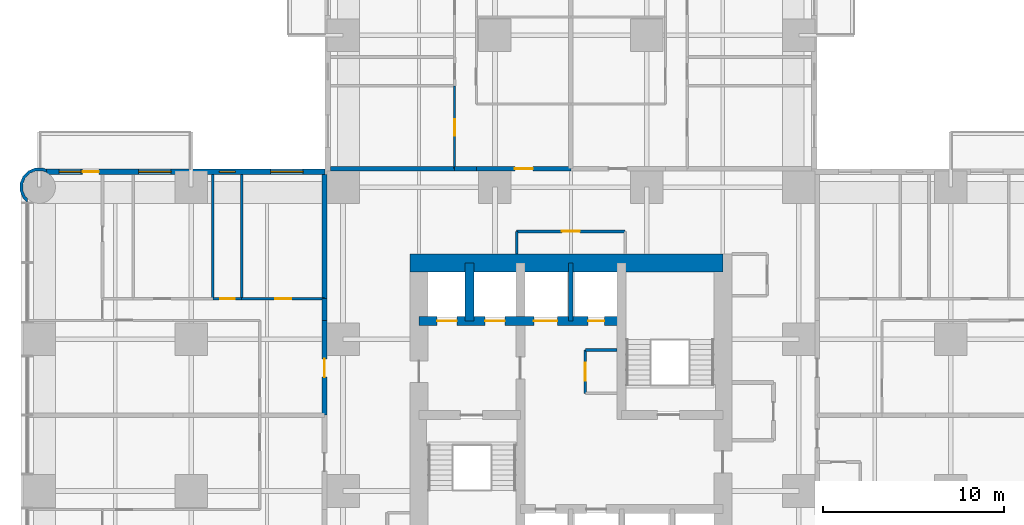
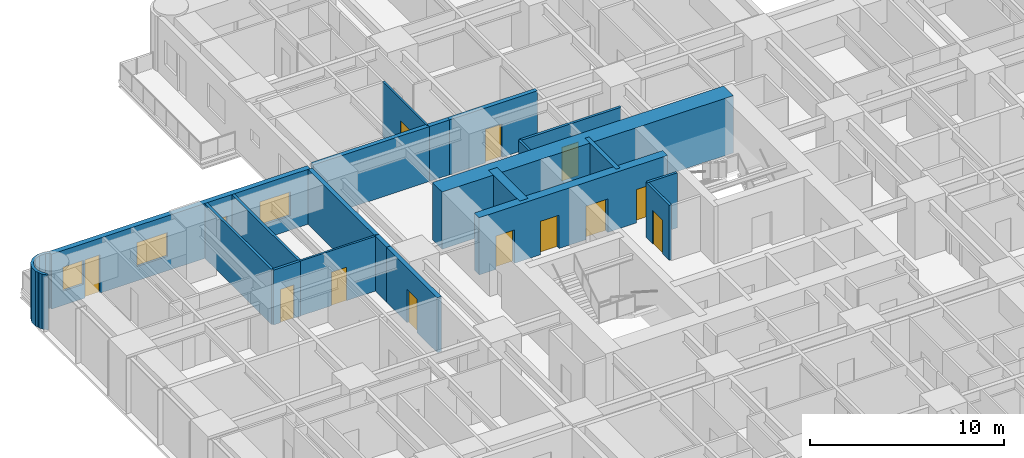
# One storey, part 12 of 17: 21 walls, 12 doors, 4 windows, 16 openings.
"""IFC4 building model written with IfcOpenShell, lengths in metres."""

from ifc_helpers import new_model, si_unit, direction, frame, frame_2d, origin, place, context, subcontext, project, spatial, polyline, rectangle, outline, extrude, material, layer, layer_set, type_object, element, fill, save


model = new_model("IFC4")

# Units and contexts
model_context = context("Model", 3, precision=1e-05, world=origin(), true_north=direction((0.0, 1.0)))
body_context = subcontext(model_context, "Body", "Model", "MODEL_VIEW")
ifc_project = project(units=[si_unit("LENGTHUNIT", "METRE"), si_unit("AREAUNIT", "SQUARE_METRE"), si_unit("VOLUMEUNIT", "CUBIC_METRE"), si_unit("PLANEANGLEUNIT", "RADIAN"), si_unit("MASSUNIT", "GRAM", prefix="KILO")], contexts=[model_context])

# Site, building, storey
site_placement = place(None, origin())
site = spatial("IfcSite", under=ifc_project, at=site_placement, CompositionType="ELEMENT")
building_placement = place(site_placement, origin())
building = spatial("IfcBuilding", under=site, at=building_placement, Name="Torre Alcanfor", CompositionType="ELEMENT")
storey_placement = place(building_placement, frame((0.0, 0.0, 59.699951171875)))
storey = spatial("IfcBuildingStorey", under=building, at=storey_placement, Name="L14", CompositionType="ELEMENT", Elevation=59.699951171875)

# Wall, opening, door
ifc_material_1 = material(Name="Concrete block masonry, hollow blocks NMX-C-404 9 MPa", Category="masonry")
ifc_layer_1 = layer(ifc_material_1, 0.25)
ifc_layer_set_1 = layer_set([ifc_layer_1], Name="Apartment entrance wall 250 EI 60")
wall_type_1 = type_object("IfcWallType", Name="Apartment entrance wall 250 EI 60", PredefinedType="PARTITIONING", material=ifc_layer_set_1)
wall_1_placement = place(storey_placement, frame((24.1708984375, 43.02490234375, 0.0), z_axis=(0.0, 0.0, 1.0), x_axis=(1.0, 0.0, 0.0)))
wall_1 = element("IfcWall", 1, at=wall_1_placement, inside=storey, type_object=wall_type_1, Name="Partition L14-CORR / L14-N1-ZAG", PredefinedType="PARTITIONING", context=body_context, shape_type="SweptSolid", body=[
    extrude(rectangle(XDim=5.22900390625, YDim=0.25, at=frame_2d((2.614501953125, 0.0))), origin(), (0.0, 0.0, 1.0), 3.449951171875),
])
opening_1_placement = place(wall_1_placement, frame((2.12890625, 0.0, 0.0)))
opening_1 = element("IfcOpeningElement", 2, at=opening_1_placement, cuts=wall_1, Name="Opening D-A1", PredefinedType="OPENING", context=body_context, shape_type="SweptSolid", body=[
    extrude(rectangle(XDim=1.0, YDim=2.10009765625, at=frame_2d((0.5, 1.050048828125))), frame((0.0, 0.135009765625, 0.0), z_axis=(0.0, -1.0, 0.0), x_axis=(1.0, 0.0, 0.0)), (0.0, 0.0, 1.0), 0.27001953125),
])
ifc_material_2 = material(Name="Galvanised steel sheet ASTM A653", Category="steel")
door_type_1 = type_object("IfcDoorType", Name="Apartment entrance door FD60 1000x2100", OperationType="SINGLE_SWING_LEFT", PredefinedType="DOOR", material=ifc_material_2)
door_1_placement = place(opening_1_placement, origin())
door_1 = element("IfcDoor", 3, at=door_1_placement, inside=storey, type_object=door_type_1, Name="Apartment entrance L14-N1", OperationType="SINGLE_SWING_RIGHT", OverallHeight=2.10009765625, OverallWidth=1.0, PredefinedType="DOOR", context=body_context, shape_type="SweptSolid", body=[
    extrude(rectangle(XDim=1.0, YDim=2.10009765625, at=frame_2d((0.5, 1.050048828125))), frame((0.0, 0.02490234375, 0.0), z_axis=(0.0, -1.0, 0.0), x_axis=(1.0, 0.0, 0.0)), (0.0, 0.0, 1.0), 0.050048828125),
])
fill(opening_1, door_1)

# Walls
wall_2_placement = place(storey_placement, frame((22.970947265625, 43.02490234375, 0.0), z_axis=(0.0, 0.0, 1.0), x_axis=(1.0, 0.0, 0.0)))
element("IfcWall", 4, at=wall_2_placement, inside=storey, type_object=wall_type_1, Name="Partition L14-CORR / L14-N1-HALL", PredefinedType="PARTITIONING", context=body_context, shape_type="SweptSolid", body=[
    extrude(rectangle(XDim=1.199951171875, YDim=0.25, at=frame_2d((0.60009765625, 0.0))), origin(), (0.0, 0.0, 1.0), 3.449951171875),
])
wall_3_placement = place(storey_placement, frame((16.10009765625, 43.02490234375, 0.0), z_axis=(0.0, 0.0, 1.0), x_axis=(1.0, 0.0, 0.0)))
element("IfcWall", 5, at=wall_3_placement, inside=storey, type_object=wall_type_1, Name="Partition L14-CORR / L14-N1-BED2", PredefinedType="PARTITIONING", context=body_context, shape_type="SweptSolid", body=[
    extrude(rectangle(XDim=6.870849609375, YDim=0.25, at=frame_2d((3.435546875, 0.0))), origin(), (0.0, 0.0, 1.0), 3.449951171875),
])

# Wall, opening, door
wall_4_placement = place(storey_placement, frame((15.77490234375, 29.39990234375, 0.0), z_axis=(0.0, 0.0, 1.0), x_axis=(0.0, 1.0, 0.0)))
wall_4 = element("IfcWall", 6, at=wall_4_placement, inside=storey, type_object=wall_type_1, Name="Partition L14-CORR / L14-W2-ZAG", PredefinedType="PARTITIONING", context=body_context, shape_type="SweptSolid", body=[
    extrude(rectangle(XDim=5.22900390625, YDim=0.25, at=frame_2d((2.614501953125, 0.0))), origin(), (0.0, 0.0, 1.0), 3.449951171875),
])
opening_2_placement = place(wall_4_placement, frame((2.10009765625, 0.0, 0.0)))
opening_2 = element("IfcOpeningElement", 7, at=opening_2_placement, cuts=wall_4, Name="Opening D-A1", PredefinedType="OPENING", context=body_context, shape_type="SweptSolid", body=[
    extrude(rectangle(XDim=1.0, YDim=2.10009765625, at=frame_2d((0.5, 1.050048828125))), frame((0.0, 0.135009765625, 0.0), z_axis=(0.0, -1.0, 0.0), x_axis=(1.0, 0.0, 0.0)), (0.0, 0.0, 1.0), 0.27001953125),
])
door_2_placement = place(opening_2_placement, origin())
door_2 = element("IfcDoor", 8, at=door_2_placement, inside=storey, type_object=door_type_1, Name="Apartment entrance L14-W2", OperationType="SINGLE_SWING_LEFT", OverallHeight=2.10009765625, OverallWidth=1.0, PredefinedType="DOOR", context=body_context, shape_type="SweptSolid", body=[
    extrude(rectangle(XDim=1.0, YDim=2.10009765625, at=frame_2d((0.5, 1.050048828125))), frame((0.0, 0.02490234375, 0.0), z_axis=(0.0, -1.0, 0.0), x_axis=(1.0, 0.0, 0.0)), (0.0, 0.0, 1.0), 0.050048828125),
])
fill(opening_2, door_2)

# Walls
wall_5_placement = place(storey_placement, frame((15.77490234375, 34.62890625, 0.0), z_axis=(0.0, 0.0, 1.0), x_axis=(0.0, 1.0, 0.0)))
element("IfcWall", 9, at=wall_5_placement, inside=storey, type_object=wall_type_1, Name="Partition L14-CORR / L14-W2-HALL", PredefinedType="PARTITIONING", context=body_context, shape_type="SweptSolid", body=[
    extrude(rectangle(XDim=1.2001953125, YDim=0.25, at=frame_2d((0.60009765625, 0.0))), origin(), (0.0, 0.0, 1.0), 3.449951171875),
])
wall_6_placement = place(storey_placement, frame((15.77490234375, 35.8291015625, 0.0), z_axis=(0.0, 0.0, 1.0), x_axis=(0.0, 1.0, 0.0)))
element("IfcWall", 10, at=wall_6_placement, inside=storey, type_object=wall_type_1, Name="Partition L14-CORR / L14-W2-BED3", PredefinedType="PARTITIONING", context=body_context, shape_type="SweptSolid", body=[
    extrude(rectangle(XDim=6.870849609375, YDim=0.25, at=frame_2d((3.435546875, 0.0))), origin(), (0.0, 0.0, 1.0), 3.449951171875),
])

# Wall, opening, door
ifc_material_3 = material(Name="Gypsum board on steel studs", Category="steel")
ifc_layer_2 = layer(ifc_material_3, 0.1201171875)
ifc_layer_set_2 = layer_set([ifc_layer_2], Name="Apartment partition 120")
wall_type_2 = type_object("IfcWallType", Name="Apartment partition 120", PredefinedType="PARTITIONING", material=ifc_layer_set_2)
wall_7_placement = place(storey_placement, frame((22.970947265625, 47.60009765625, 0.0), z_axis=(0.0, 0.0, 1.0), x_axis=(0.0, -1.0, 0.0)))
wall_7 = element("IfcWall", 11, at=wall_7_placement, inside=storey, type_object=wall_type_2, Name="Partition L14-N1-HALL / L14-N1-BED2", PredefinedType="PARTITIONING", context=body_context, shape_type="SweptSolid", body=[
    extrude(rectangle(XDim=4.5751953125, YDim=0.1201171875, at=frame_2d((2.28759765625, 0.0))), origin(), (0.0, 0.0, 1.0), 3.449951171875),
])
opening_3_placement = place(wall_7_placement, frame((1.85009765625, 0.0, 0.0)))
opening_3 = element("IfcOpeningElement", 12, at=opening_3_placement, cuts=wall_7, Name="Opening D-R1", PredefinedType="OPENING", context=body_context, shape_type="SweptSolid", body=[
    extrude(rectangle(XDim=0.89990234375, YDim=2.10009765625, at=frame_2d((0.449951171875, 1.050048828125))), frame((0.0, 0.070068359375, 0.0), z_axis=(0.0, -1.0, 0.0), x_axis=(1.0, 0.0, 0.0)), (0.0, 0.0, 1.0), 0.14013671875),
])
ifc_material_4 = material(Name="Timber", Category="wood")
door_type_2 = type_object("IfcDoorType", Name="Internal door 900x2100", OperationType="SINGLE_SWING_LEFT", PredefinedType="DOOR", material=ifc_material_4)
door_3_placement = place(opening_3_placement, frame((0.89990234375, 0.0, 0.0), z_axis=(0.0, 0.0, 1.0), x_axis=(-1.0, 0.0, 0.0)))
door_3 = element("IfcDoor", 13, at=door_3_placement, inside=storey, type_object=door_type_2, Name="Door L14-N1 bed2", OperationType="SINGLE_SWING_LEFT", OverallHeight=2.10009765625, OverallWidth=0.89990234375, PredefinedType="DOOR", context=body_context, shape_type="SweptSolid", body=[
    extrude(rectangle(XDim=0.89990234375, YDim=2.10009765625, at=frame_2d((0.449951171875, 1.050048828125))), frame((0.0, 0.025146484375, 0.0), z_axis=(0.0, -1.0, 0.0), x_axis=(1.0, 0.0, 0.0)), (0.0, 0.0, 1.0), 0.050048828125),
])
fill(opening_3, door_3)

wall_8_placement = place(storey_placement, frame((11.199951171875, 35.8291015625, 0.0), z_axis=(0.0, 0.0, 1.0), x_axis=(1.0, 0.0, 0.0)))
wall_8 = element("IfcWall", 14, at=wall_8_placement, inside=storey, type_object=wall_type_2, Name="Partition L14-W2-HALL / L14-W2-BED3", PredefinedType="PARTITIONING", context=body_context, shape_type="SweptSolid", body=[
    extrude(rectangle(XDim=4.574951171875, YDim=0.1201171875, at=frame_2d((2.28759765625, 0.0))), origin(), (0.0, 0.0, 1.0), 3.449951171875),
])
opening_4_placement = place(wall_8_placement, frame((1.85009765625, 0.0, 0.0)))
opening_4 = element("IfcOpeningElement", 15, at=opening_4_placement, cuts=wall_8, Name="Opening D-R1", PredefinedType="OPENING", context=body_context, shape_type="SweptSolid", body=[
    extrude(rectangle(XDim=0.89990234375, YDim=2.10009765625, at=frame_2d((0.449951171875, 1.050048828125))), frame((0.0, 0.070068359375, 0.0), z_axis=(0.0, -1.0, 0.0), x_axis=(1.0, 0.0, 0.0)), (0.0, 0.0, 1.0), 0.14013671875),
])
door_4_placement = place(opening_4_placement, origin())
door_4 = element("IfcDoor", 16, at=door_4_placement, inside=storey, type_object=door_type_2, Name="Door L14-W2 bed3", OperationType="SINGLE_SWING_RIGHT", OverallHeight=2.10009765625, OverallWidth=0.89990234375, PredefinedType="DOOR", context=body_context, shape_type="SweptSolid", body=[
    extrude(rectangle(XDim=0.89990234375, YDim=2.10009765625, at=frame_2d((0.449951171875, 1.050048828125))), frame((0.0, 0.02490234375, 0.0), z_axis=(0.0, -1.0, 0.0), x_axis=(1.0, 0.0, 0.0)), (0.0, 0.0, 1.0), 0.050048828125),
])
fill(opening_4, door_4)

# Wall, openings, doors
ifc_material_5 = material(Name="Concrete f'c 70 MPa", Category="concrete")
ifc_layer_3 = layer(ifc_material_5, 0.5)
ifc_layer_set_3 = layer_set([ifc_layer_3], Name="Core inner wall 500 f'c70")
wall_type_3 = type_object("IfcWallType", Name="Core inner wall 500 f'c70", PredefinedType="SHEAR", material=ifc_layer_set_3)
wall_9_placement = place(storey_placement, frame((21.0, 34.60009765625, 0.0), z_axis=(0.0, 0.0, 1.0), x_axis=(1.0, 0.0, 0.0)))
wall_9 = element("IfcWall", 17, at=wall_9_placement, inside=storey, type_object=wall_type_3, Name="Core wall Y346 L14", PredefinedType="SHEAR", context=body_context, shape_type="SweptSolid", body=[
    extrude(rectangle(XDim=11.199951171875, YDim=0.5, at=frame_2d((5.60009765625, 0.0))), origin(), (0.0, 0.0, 1.0), 3.60009765625),
])
opening_5_placement = place(wall_9_placement, frame((9.35009765625, 0.0, 0.0)))
opening_5 = element("IfcOpeningElement", 18, at=opening_5_placement, cuts=wall_9, Name="Opening D-Q1", PredefinedType="OPENING", context=body_context, shape_type="SweptSolid", body=[
    extrude(rectangle(XDim=0.89990234375, YDim=2.10009765625, at=frame_2d((0.449951171875, 1.050048828125))), frame((0.0, 0.260009765625, 0.0), z_axis=(0.0, -1.0, 0.0), x_axis=(1.0, 0.0, 0.0)), (0.0, 0.0, 1.0), 0.52001953125),
])
opening_6_placement = place(wall_9_placement, frame((1.0, 0.0, 0.0)))
opening_6 = element("IfcOpeningElement", 19, at=opening_6_placement, cuts=wall_9, Name="Opening LD2", PredefinedType="OPENING", context=body_context, shape_type="SweptSolid", body=[
    extrude(rectangle(XDim=1.10009765625, YDim=2.10009765625, at=frame_2d((0.550048828125, 1.050048828125))), frame((0.0, 0.260009765625, 0.0), z_axis=(0.0, -1.0, 0.0), x_axis=(1.0, 0.0, 0.0)), (0.0, 0.0, 1.0), 0.52001953125),
])
opening_7_placement = place(wall_9_placement, frame((3.64990234375, 0.0, 0.0)))
opening_7 = element("IfcOpeningElement", 20, at=opening_7_placement, cuts=wall_9, Name="Opening LD2", PredefinedType="OPENING", context=body_context, shape_type="SweptSolid", body=[
    extrude(rectangle(XDim=1.10009765625, YDim=2.10009765625, at=frame_2d((0.550048828125, 1.050048828125))), frame((0.0, 0.260009765625, 0.0), z_axis=(0.0, -1.0, 0.0), x_axis=(1.0, 0.0, 0.0)), (0.0, 0.0, 1.0), 0.52001953125),
])
opening_8_placement = place(wall_9_placement, frame((6.35009765625, 0.0, 0.0)))
opening_8 = element("IfcOpeningElement", 21, at=opening_8_placement, cuts=wall_9, Name="Opening LD3", PredefinedType="OPENING", context=body_context, shape_type="SweptSolid", body=[
    extrude(rectangle(XDim=1.300048828125, YDim=2.10009765625, at=frame_2d((0.64990234375, 1.050048828125))), frame((0.0, 0.260009765625, 0.0), z_axis=(0.0, -1.0, 0.0), x_axis=(1.0, 0.0, 0.0)), (0.0, 0.0, 1.0), 0.52001953125),
])
ifc_material_6 = material(Name="Galvanised steel sheet ASTM A653", Category="steel")
door_type_3 = type_object("IfcDoorType", Name="Firefighting lift landing door 1100x2100", OperationType="DOUBLE_DOOR_SLIDING", PredefinedType="DOOR", material=ifc_material_6)
door_5_placement = place(opening_6_placement, origin())
door_5 = element("IfcDoor", 22, at=door_5_placement, inside=storey, type_object=door_type_3, Name="Lift landing door FL1 L14", OperationType="DOUBLE_DOOR_SLIDING", OverallHeight=2.10009765625, OverallWidth=1.10009765625, PredefinedType="DOOR", context=body_context, shape_type="SweptSolid", body=[
    extrude(rectangle(XDim=1.10009765625, YDim=2.10009765625, at=frame_2d((0.550048828125, 1.050048828125))), frame((0.0, 0.02490234375, 0.0), z_axis=(0.0, -1.0, 0.0), x_axis=(1.0, 0.0, 0.0)), (0.0, 0.0, 1.0), 0.050048828125),
])
fill(opening_6, door_5)
door_6_placement = place(opening_7_placement, origin())
door_6 = element("IfcDoor", 23, at=door_6_placement, inside=storey, type_object=door_type_3, Name="Lift landing door FL2 L14", OperationType="DOUBLE_DOOR_SLIDING", OverallHeight=2.10009765625, OverallWidth=1.10009765625, PredefinedType="DOOR", context=body_context, shape_type="SweptSolid", body=[
    extrude(rectangle(XDim=1.10009765625, YDim=2.10009765625, at=frame_2d((0.550048828125, 1.050048828125))), frame((0.0, 0.02490234375, 0.0), z_axis=(0.0, -1.0, 0.0), x_axis=(1.0, 0.0, 0.0)), (0.0, 0.0, 1.0), 0.050048828125),
])
fill(opening_7, door_6)
ifc_material_7 = material(Name="Galvanised steel sheet ASTM A653", Category="steel")
door_type_4 = type_object("IfcDoorType", Name="Riser access door FD120 900x2100", OperationType="SINGLE_SWING_LEFT", PredefinedType="DOOR", material=ifc_material_7)
door_7_placement = place(opening_5_placement, origin())
door_7 = element("IfcDoor", 24, at=door_7_placement, inside=storey, type_object=door_type_4, Name="Riser door L14", OperationType="SINGLE_SWING_LEFT", OverallHeight=2.10009765625, OverallWidth=0.89990234375, PredefinedType="DOOR", context=body_context, shape_type="SweptSolid", body=[
    extrude(rectangle(XDim=0.89990234375, YDim=2.10009765625, at=frame_2d((0.449951171875, 1.050048828125))), frame((0.0, 0.02490234375, 0.0), z_axis=(0.0, -1.0, 0.0), x_axis=(1.0, 0.0, 0.0)), (0.0, 0.0, 1.0), 0.050048828125),
])
fill(opening_5, door_7)
ifc_material_8 = material(Name="Galvanised steel sheet ASTM A653", Category="steel")
door_type_5 = type_object("IfcDoorType", Name="Service lift landing door 1300x2100", OperationType="DOUBLE_DOOR_SLIDING", PredefinedType="DOOR", material=ifc_material_8)
door_8_placement = place(opening_8_placement, origin())
door_8 = element("IfcDoor", 25, at=door_8_placement, inside=storey, type_object=door_type_5, Name="Lift landing door SL1 L14", OperationType="DOUBLE_DOOR_SLIDING", OverallHeight=2.10009765625, OverallWidth=1.300048828125, PredefinedType="DOOR", context=body_context, shape_type="SweptSolid", body=[
    extrude(rectangle(XDim=1.300048828125, YDim=2.10009765625, at=frame_2d((0.64990234375, 1.050048828125))), frame((0.0, 0.02490234375, 0.0), z_axis=(0.0, -1.0, 0.0), x_axis=(1.0, 0.0, 0.0)), (0.0, 0.0, 1.0), 0.050048828125),
])
fill(opening_8, door_8)

# Walls
wall_10_placement = place(storey_placement, frame((23.800048828125, 34.60009765625, 0.0), z_axis=(0.0, 0.0, 1.0), x_axis=(0.0, 1.0, 0.0)))
element("IfcWall", 26, at=wall_10_placement, inside=storey, type_object=wall_type_3, Name="Core wall X238 L14", PredefinedType="SHEAR", context=body_context, shape_type="SweptSolid", body=[
    extrude(rectangle(XDim=3.199951171875, YDim=0.5, at=frame_2d((1.60009765625, 0.0))), origin(), (0.0, 0.0, 1.0), 3.60009765625),
])
ifc_material_9 = material(Name="Concrete f'c 70 MPa", Category="concrete")
ifc_layer_4 = layer(ifc_material_9, 0.25)
ifc_layer_set_4 = layer_set([ifc_layer_4], Name="Core shaft wall 250 f'c70")
wall_type_4 = type_object("IfcWallType", Name="Core shaft wall 250 f'c70", PredefinedType="SHEAR", material=ifc_layer_set_4)
wall_11_placement = place(storey_placement, frame((29.39990234375, 34.60009765625, 0.0), z_axis=(0.0, 0.0, 1.0), x_axis=(0.0, 1.0, 0.0)))
element("IfcWall", 27, at=wall_11_placement, inside=storey, type_object=wall_type_4, Name="Core wall X294N L14", PredefinedType="SHEAR", context=body_context, shape_type="SweptSolid", body=[
    extrude(rectangle(XDim=3.199951171875, YDim=0.25, at=frame_2d((1.60009765625, 0.0))), origin(), (0.0, 0.0, 1.0), 3.60009765625),
])
ifc_material_10 = material(Name="Concrete f'c 70 MPa", Category="concrete")
ifc_layer_5 = layer(ifc_material_10, 1.0)
ifc_layer_set_5 = layer_set([ifc_layer_5], Name="Core wall 1000 f'c70")
wall_type_5 = type_object("IfcWallType", Name="Core wall 1000 f'c70", PredefinedType="SHEAR", material=ifc_layer_set_5)
wall_12_placement = place(storey_placement, frame((37.800048828125, 37.800048828125, 0.0), z_axis=(0.0, 0.0, 1.0), x_axis=(-1.0, 0.0, 0.0)))
element("IfcWall", 28, at=wall_12_placement, inside=storey, type_object=wall_type_5, Name="Core wall OUT-N L14", PredefinedType="SHEAR", context=body_context, shape_type="SweptSolid", body=[
    extrude(rectangle(XDim=17.300048828125, YDim=1.0, at=frame_2d((8.64990234375, 0.0))), origin(), (0.0, 0.0, 1.0), 3.60009765625),
])

# Wall, openings, door, windows
ifc_material_11 = material(Name="Limestone cladding", Category="masonry")
ifc_layer_6 = layer(ifc_material_11, 0.0400390625, Name="Facing")
ifc_material_12 = material(Name="Ventilated air cavity")
ifc_layer_7 = layer(ifc_material_12, 0.02001953125, ventilated=True, Name="Ventilated joint")
ifc_material_13 = material(Name="Mineral wool insulation", Category="insulation")
ifc_layer_8 = layer(ifc_material_13, 0.10009765625, Name="Insulation")
ifc_material_14 = material(Name="Concrete f'c 35 MPa", Category="concrete")
ifc_layer_9 = layer(ifc_material_14, 0.139892578125, Name="Backing")
ifc_layer_set_6 = layer_set([ifc_layer_6, ifc_layer_7, ifc_layer_8, ifc_layer_9], Name="External wall stone-clad 300")
wall_type_6 = type_object("IfcWallType", Name="External wall stone-clad 300", PredefinedType="SOLIDWALL", material=ifc_layer_set_6)
wall_13_placement = place(storey_placement, frame((15.800048828125, 42.85009765625, 0.0), z_axis=(0.0, 0.0, 1.0), x_axis=(-1.0, 0.0, 0.0)))
wall_13 = element("IfcWall", 29, at=wall_13_placement, inside=storey, type_object=wall_type_6, Name="External wall L14 1", PredefinedType="SOLIDWALL", context=body_context, shape_type="SweptSolid", body=[
    extrude(rectangle(XDim=15.400146484375, YDim=0.300048828125, at=frame_2d((7.7001953125, 0.0))), origin(), (0.0, 0.0, 1.0), 3.449951171875),
])
opening_9_placement = place(wall_13_placement, frame((1.199951171875, 0.0, 0.89990234375)))
opening_9 = element("IfcOpeningElement", 30, at=opening_9_placement, cuts=wall_13, Name="Opening W2", PredefinedType="OPENING", context=body_context, shape_type="SweptSolid", body=[
    extrude(rectangle(XDim=1.800048828125, YDim=1.5, at=frame_2d((0.89990234375, 0.75))), frame((0.0, 0.159912109375, 0.0), z_axis=(0.0, -1.0, 0.0), x_axis=(1.0, 0.0, 0.0)), (0.0, 0.0, 1.0), 0.320068359375),
])
opening_10_placement = place(wall_13_placement, frame((4.949951171875, 0.0, 1.5)))
opening_10 = element("IfcOpeningElement", 31, at=opening_10_placement, cuts=wall_13, Name="Opening W3", PredefinedType="OPENING", context=body_context, shape_type="SweptSolid", body=[
    extrude(rectangle(XDim=0.89990234375, YDim=0.699951171875, at=frame_2d((0.449951171875, 0.35009765625))), frame((0.0, 0.159912109375, 0.0), z_axis=(0.0, -1.0, 0.0), x_axis=(1.0, 0.0, 0.0)), (0.0, 0.0, 1.0), 0.320068359375),
])
opening_11_placement = place(wall_13_placement, frame((8.5, 0.0, 0.89990234375)))
opening_11 = element("IfcOpeningElement", 32, at=opening_11_placement, cuts=wall_13, Name="Opening W2", PredefinedType="OPENING", context=body_context, shape_type="SweptSolid", body=[
    extrude(rectangle(XDim=1.800048828125, YDim=1.5, at=frame_2d((0.89990234375, 0.75))), frame((0.0, 0.159912109375, 0.0), z_axis=(0.0, -1.0, 0.0), x_axis=(1.0, 0.0, 0.0)), (0.0, 0.0, 1.0), 0.320068359375),
])
opening_12_placement = place(wall_13_placement, frame((12.5, 0.0, 0.0)))
opening_12 = element("IfcOpeningElement", 33, at=opening_12_placement, cuts=wall_13, Name="Opening D-B1", PredefinedType="OPENING", context=body_context, shape_type="SweptSolid", body=[
    extrude(rectangle(XDim=0.89990234375, YDim=2.39990234375, at=frame_2d((0.449951171875, 1.199951171875))), frame((0.0, 0.159912109375, 0.0), z_axis=(0.0, -1.0, 0.0), x_axis=(1.0, 0.0, 0.0)), (0.0, 0.0, 1.0), 0.320068359375),
])
opening_13_placement = place(wall_13_placement, frame((13.5, 0.0, 0.89990234375)))
opening_13 = element("IfcOpeningElement", 34, at=opening_13_placement, cuts=wall_13, Name="Opening W4", PredefinedType="OPENING", context=body_context, shape_type="SweptSolid", body=[
    extrude(rectangle(XDim=1.199951171875, YDim=1.5, at=frame_2d((0.60009765625, 0.75))), frame((0.0, 0.159912109375, 0.0), z_axis=(0.0, -1.0, 0.0), x_axis=(1.0, 0.0, 0.0)), (0.0, 0.0, 1.0), 0.320068359375),
])
ifc_material_15 = material(Name="Aluminium and glass", Category="aluminium")
door_type_6 = type_object("IfcDoorType", Name="Balcony door glazed 900x2400", OperationType="SINGLE_SWING_LEFT", PredefinedType="DOOR", material=ifc_material_15)
door_9_placement = place(opening_12_placement, origin())
door_9 = element("IfcDoor", 35, at=door_9_placement, inside=storey, type_object=door_type_6, Name="Balcony door L14-W2", OperationType="SINGLE_SWING_LEFT", OverallHeight=2.39990234375, OverallWidth=0.89990234375, PredefinedType="DOOR", context=body_context, shape_type="SweptSolid", body=[
    extrude(rectangle(XDim=0.89990234375, YDim=2.39990234375, at=frame_2d((0.449951171875, 1.199951171875))), frame((0.0, 0.02490234375, 0.0), z_axis=(0.0, -1.0, 0.0), x_axis=(1.0, 0.0, 0.0)), (0.0, 0.0, 1.0), 0.050048828125),
])
fill(opening_12, door_9)
ifc_material_16 = material(Name="Aluminium frame with clear double glazing", Category="aluminium")
window_type_1 = type_object("IfcWindowType", Name="Window bathroom 900x700", PartitioningType="SINGLE_PANEL", PredefinedType="WINDOW", material=ifc_material_16)
window_1_placement = place(opening_10_placement, origin())
window_1 = element("IfcWindow", 36, at=window_1_placement, inside=storey, type_object=window_type_1, Name="Window W3 L14-W2", OverallHeight=0.699951171875, OverallWidth=0.89990234375, PartitioningType="SINGLE_PANEL", PredefinedType="WINDOW", context=body_context, shape_type="SweptSolid", body=[
    extrude(rectangle(XDim=0.89990234375, YDim=0.699951171875, at=frame_2d((0.449951171875, 0.35009765625))), frame((0.0, 0.030029296875, 0.0), z_axis=(0.0, -1.0, 0.0), x_axis=(1.0, 0.0, 0.0)), (0.0, 0.0, 1.0), 0.06005859375),
])
fill(opening_10, window_1)
ifc_material_17 = material(Name="Aluminium frame with clear double glazing", Category="aluminium")
window_type_2 = type_object("IfcWindowType", Name="Window bedroom 1200x1500", PartitioningType="SINGLE_PANEL", PredefinedType="WINDOW", material=ifc_material_17)
window_2_placement = place(opening_13_placement, origin())
window_2 = element("IfcWindow", 37, at=window_2_placement, inside=storey, type_object=window_type_2, Name="Window W4 L14-W2", OverallHeight=1.5, OverallWidth=1.199951171875, PartitioningType="SINGLE_PANEL", PredefinedType="WINDOW", context=body_context, shape_type="SweptSolid", body=[
    extrude(rectangle(XDim=1.199951171875, YDim=1.5, at=frame_2d((0.60009765625, 0.75))), frame((0.0, 0.030029296875, 0.0), z_axis=(0.0, -1.0, 0.0), x_axis=(1.0, 0.0, 0.0)), (0.0, 0.0, 1.0), 0.06005859375),
])
fill(opening_13, window_2)
ifc_material_18 = material(Name="Aluminium frame with clear double glazing", Category="aluminium")
window_type_3 = type_object("IfcWindowType", Name="Window bedroom 1800x1500", PartitioningType="SINGLE_PANEL", PredefinedType="WINDOW", material=ifc_material_18)
window_3_placement = place(opening_9_placement, origin())
window_3 = element("IfcWindow", 38, at=window_3_placement, inside=storey, type_object=window_type_3, Name="Window W2 L14-W2", OverallHeight=1.5, OverallWidth=1.800048828125, PartitioningType="SINGLE_PANEL", PredefinedType="WINDOW", context=body_context, shape_type="SweptSolid", body=[
    extrude(rectangle(XDim=1.800048828125, YDim=1.5, at=frame_2d((0.89990234375, 0.75))), frame((0.0, 0.030029296875, 0.0), z_axis=(0.0, -1.0, 0.0), x_axis=(1.0, 0.0, 0.0)), (0.0, 0.0, 1.0), 0.06005859375),
])
fill(opening_9, window_3)
window_4_placement = place(opening_11_placement, origin())
window_4 = element("IfcWindow", 39, at=window_4_placement, inside=storey, type_object=window_type_3, Name="Window W2 L14-W2", OverallHeight=1.5, OverallWidth=1.800048828125, PartitioningType="SINGLE_PANEL", PredefinedType="WINDOW", context=body_context, shape_type="SweptSolid", body=[
    extrude(rectangle(XDim=1.800048828125, YDim=1.5, at=frame_2d((0.89990234375, 0.75))), frame((0.0, 0.030029296875, 0.0), z_axis=(0.0, -1.0, 0.0), x_axis=(1.0, 0.0, 0.0)), (0.0, 0.0, 1.0), 0.06005859375),
])
fill(opening_11, window_4)

# Wall, opening, door
ifc_material_19 = material(Name="Concrete block masonry, hollow blocks NMX-C-404 9 MPa", Category="masonry")
ifc_layer_10 = layer(ifc_material_19, 0.14990234375)
ifc_layer_set_7 = layer_set([ifc_layer_10], Name="Residents' room partition 150")
wall_type_7 = type_object("IfcWallType", Name="Residents' room partition 150", PredefinedType="PARTITIONING", material=ifc_layer_set_7)
wall_14_placement = place(storey_placement, frame((32.39990234375, 39.550048828125, 0.0), z_axis=(0.0, 0.0, 1.0), x_axis=(-1.0, 0.0, 0.0)))
wall_14 = element("IfcWall", 40, at=wall_14_placement, inside=storey, type_object=wall_type_7, Name="Partition L14-CORR / L14-G01", PredefinedType="PARTITIONING", context=body_context, shape_type="SweptSolid", body=[
    extrude(rectangle(XDim=6.0, YDim=0.14990234375, at=frame_2d((3.0, 0.0))), origin(), (0.0, 0.0, 1.0), 3.449951171875),
])
opening_14_placement = place(wall_14_placement, frame((2.5, 0.0, 0.0)))
opening_14 = element("IfcOpeningElement", 41, at=opening_14_placement, cuts=wall_14, Name="Opening D-M1", PredefinedType="OPENING", context=body_context, shape_type="SweptSolid", body=[
    extrude(rectangle(XDim=1.0, YDim=2.10009765625, at=frame_2d((0.5, 1.050048828125))), frame((0.0, 0.0849609375, 0.0), z_axis=(0.0, -1.0, 0.0), x_axis=(1.0, 0.0, 0.0)), (0.0, 0.0, 1.0), 0.169921875),
])
ifc_material_20 = material(Name="Timber", Category="wood")
door_type_7 = type_object("IfcDoorType", Name="Residents' room door 1000x2100", OperationType="SINGLE_SWING_LEFT", PredefinedType="DOOR", material=ifc_material_20)
door_10_placement = place(opening_14_placement, origin())
door_10 = element("IfcDoor", 42, at=door_10_placement, inside=storey, type_object=door_type_7, Name="Door L14-G01 bicycle store", OperationType="SINGLE_SWING_LEFT", OverallHeight=2.10009765625, OverallWidth=1.0, PredefinedType="DOOR", context=body_context, shape_type="SweptSolid", body=[
    extrude(rectangle(XDim=1.0, YDim=2.10009765625, at=frame_2d((0.5, 1.050048828125))), frame((0.0, 0.02490234375, 0.0), z_axis=(0.0, -1.0, 0.0), x_axis=(1.0, 0.0, 0.0)), (0.0, 0.0, 1.0), 0.050048828125),
])
fill(opening_14, door_10)

# Wall
wall_15_placement = place(storey_placement, frame((26.39990234375, 39.550048828125, 0.0), z_axis=(0.0, 0.0, 1.0), x_axis=(0.0, -1.0, 0.0)))
element("IfcWall", 43, at=wall_15_placement, inside=storey, type_object=wall_type_7, Name="Partition L14-CORR / L14-G01", PredefinedType="PARTITIONING", context=body_context, shape_type="SweptSolid", body=[
    extrude(rectangle(XDim=1.25, YDim=0.14990234375, at=frame_2d((0.625, 0.0))), origin(), (0.0, 0.0, 1.0), 3.449951171875),
])

# Wall, opening, door
wall_16_placement = place(storey_placement, frame((30.199951171875, 30.60009765625, 0.0), z_axis=(0.0, 0.0, 1.0), x_axis=(0.0, 1.0, 0.0)))
wall_16 = element("IfcWall", 44, at=wall_16_placement, inside=storey, type_object=wall_type_7, Name="Partition L14-LL / L14-CR1", PredefinedType="PARTITIONING", context=body_context, shape_type="SweptSolid", body=[
    extrude(rectangle(XDim=2.39990234375, YDim=0.14990234375, at=frame_2d((1.199951171875, 0.0))), origin(), (0.0, 0.0, 1.0), 3.449951171875),
])
opening_15_placement = place(wall_16_placement, frame((0.699951171875, 0.0, 0.0)))
opening_15 = element("IfcOpeningElement", 45, at=opening_15_placement, cuts=wall_16, Name="Opening D-M1", PredefinedType="OPENING", context=body_context, shape_type="SweptSolid", body=[
    extrude(rectangle(XDim=1.0, YDim=2.10009765625, at=frame_2d((0.5, 1.050048828125))), frame((0.0, 0.0849609375, 0.0), z_axis=(0.0, -1.0, 0.0), x_axis=(1.0, 0.0, 0.0)), (0.0, 0.0, 1.0), 0.169921875),
])
door_11_placement = place(opening_15_placement, frame((1.0, 0.0, 0.0), z_axis=(0.0, 0.0, 1.0), x_axis=(-1.0, 0.0, 0.0)))
door_11 = element("IfcDoor", 46, at=door_11_placement, inside=storey, type_object=door_type_7, Name="Vending and ice room door L14", OperationType="SINGLE_SWING_RIGHT", OverallHeight=2.10009765625, OverallWidth=1.0, PredefinedType="DOOR", context=body_context, shape_type="SweptSolid", body=[
    extrude(rectangle(XDim=1.0, YDim=2.10009765625, at=frame_2d((0.5, 1.050048828125))), frame((0.0, 0.025146484375, 0.0), z_axis=(0.0, -1.0, 0.0), x_axis=(1.0, 0.0, 0.0)), (0.0, 0.0, 1.0), 0.050048828125),
])
fill(opening_15, door_11)

# Walls
wall_17_placement = place(storey_placement, frame((30.199951171875, 33.0, 0.0), z_axis=(0.0, 0.0, 1.0), x_axis=(1.0, 0.0, 0.0)))
element("IfcWall", 47, at=wall_17_placement, inside=storey, type_object=wall_type_7, Name="Partition L14-LL / L14-CR1", PredefinedType="PARTITIONING", context=body_context, shape_type="SweptSolid", body=[
    extrude(rectangle(XDim=1.75, YDim=0.14990234375, at=frame_2d((0.875, 0.0))), origin(), (0.0, 0.0, 1.0), 3.449951171875),
])
ifc_layer_11 = layer(ifc_material_11, 0.0400390625, Name="Facing")
ifc_layer_12 = layer(ifc_material_12, 0.02001953125, ventilated=True, Name="Ventilated joint")
ifc_layer_13 = layer(ifc_material_13, 0.10009765625, Name="Insulation")
ifc_layer_14 = layer(ifc_material_14, 0.139892578125, Name="Backing")
ifc_layer_set_8 = layer_set([ifc_layer_11, ifc_layer_12, ifc_layer_13, ifc_layer_14], Name="Rounded corner pier stone-clad 300")
wall_type_8 = type_object("IfcWallType", Name="Rounded corner pier stone-clad 300", PredefinedType="SOLIDWALL", material=ifc_layer_set_8)
wall_18_placement = place(storey_placement, frame((0.363962863, 42.909907157, 0.0), z_axis=(0.0, 0.0, 1.0), x_axis=(-0.926129809145, 0.377204953059, 0.0)))
element("IfcWall", 48, at=wall_18_placement, inside=storey, type_object=wall_type_8, Name="Corner pier L14 13", PredefinedType="SOLIDWALL", context=body_context, shape_type="SweptSolid", body=[
    extrude(outline(polyline([(0.36027248147905344, 1.8032799323574271), (0.5087783723473315, 1.740921099842025), (0.7605913470133172, 1.4857584601095954), (0.8957810128069955, 1.1538349835897281), (0.8939031559639274, 0.7953461823991875), (0.7547957339381889, 0.4650577343600455), (0.4996330942057594, 0.21324475969405968), (0.1677096176858921, 0.07805509390038129), (-0.09992182078970525, 0.07950523369113624), (0.0006988421670046999, -0.09699421764222865), (0.0300177129428464, -0.08030783699434613), (0.19858532179107968, -0.08124570553990346), (0.5888441232034033, 0.0777034519259609), (0.8888369702307105, 0.374136779300854), (1.052603126025944, 0.7629734686109036), (1.0550818122472803, 1.1847106876949156), (0.8961326547814159, 1.5749694891072394), (0.7776866026168303, 1.6949130219751851), (0.7691400347446393, 1.7275471706587737), (0.7502646662372825, 1.7227591424871238), (0.599699327406523, 1.8749623361345464), (0.2945484394782597, 2.0034825844222954), (0.2809820848521072, 1.9979571212427172), (0.36027248147905344, 1.8032799323574271)])), origin(), (0.0, 0.0, 1.0), 3.449951171875),
])

# Wall, opening, door
ifc_material_21 = material(Name="Cement board on steel studs", Category="steel")
ifc_layer_15 = layer(ifc_material_21, 0.14990234375)
ifc_layer_set_9 = layer_set([ifc_layer_15], Name="Wet area partition 150")
wall_type_9 = type_object("IfcWallType", Name="Wet area partition 150", PredefinedType="PARTITIONING", material=ifc_layer_set_9)
wall_19_placement = place(storey_placement, frame((9.60009765625, 35.8291015625, 0.0), z_axis=(0.0, 0.0, 1.0), x_axis=(1.0, 0.0, 0.0)))
wall_19 = element("IfcWall", 49, at=wall_19_placement, inside=storey, type_object=wall_type_9, Name="Partition L14-W2-HALL / L14-W2-BATH1", PredefinedType="PARTITIONING", context=body_context, shape_type="SweptSolid", body=[
    extrude(rectangle(XDim=1.599853515625, YDim=0.14990234375, at=frame_2d((0.7998046875, 0.0))), origin(), (0.0, 0.0, 1.0), 3.449951171875),
])
opening_16_placement = place(wall_19_placement, frame((0.39990234375, 0.0, 0.0)))
opening_16 = element("IfcOpeningElement", 50, at=opening_16_placement, cuts=wall_19, Name="Opening D-R2", PredefinedType="OPENING", context=body_context, shape_type="SweptSolid", body=[
    extrude(rectangle(XDim=0.800048828125, YDim=2.10009765625, at=frame_2d((0.39990234375, 1.050048828125))), frame((0.0, 0.0849609375, 0.0), z_axis=(0.0, -1.0, 0.0), x_axis=(1.0, 0.0, 0.0)), (0.0, 0.0, 1.0), 0.169921875),
])
ifc_material_22 = material(Name="Timber", Category="wood")
door_type_8 = type_object("IfcDoorType", Name="Bathroom door 800x2100", OperationType="SINGLE_SWING_LEFT", PredefinedType="DOOR", material=ifc_material_22)
door_12_placement = place(opening_16_placement, origin())
door_12 = element("IfcDoor", 51, at=door_12_placement, inside=storey, type_object=door_type_8, Name="Door L14-W2 bath1", OperationType="SINGLE_SWING_LEFT", OverallHeight=2.10009765625, OverallWidth=0.800048828125, PredefinedType="DOOR", context=body_context, shape_type="SweptSolid", body=[
    extrude(rectangle(XDim=0.800048828125, YDim=2.10009765625, at=frame_2d((0.39990234375, 1.050048828125))), frame((0.0, 0.02490234375, 0.0), z_axis=(0.0, -1.0, 0.0), x_axis=(1.0, 0.0, 0.0)), (0.0, 0.0, 1.0), 0.050048828125),
])
fill(opening_16, door_12)

# Walls
for number, where, z_axis, x_axis, name in (
    (52, (11.199951171875, 35.8291015625, 0.0), (0.0, 0.0, 1.0), (0.0, 1.0, 0.0), "Partition L14-W2-BED3 / L14-W2-BATH1"),
    (53, (9.60009765625, 35.8291015625, 0.0), (0.0, 0.0, 1.0), (0.0, 1.0, 0.0), "Partition L14-W2-BATH1 / L14-W2-BED2"),
):
    element("IfcWall", number, at=place(storey_placement, frame(where, z_axis=z_axis, x_axis=x_axis)), inside=storey, type_object=wall_type_9, Name=name, PredefinedType="PARTITIONING", context=body_context, shape_type="SweptSolid", body=[
        extrude(rectangle(XDim=6.870849609375, YDim=0.14990234375, at=frame_2d((3.435546875, 0.0))), origin(), (0.0, 0.0, 1.0), 3.449951171875),
    ])

save(model, "model.ifc")
